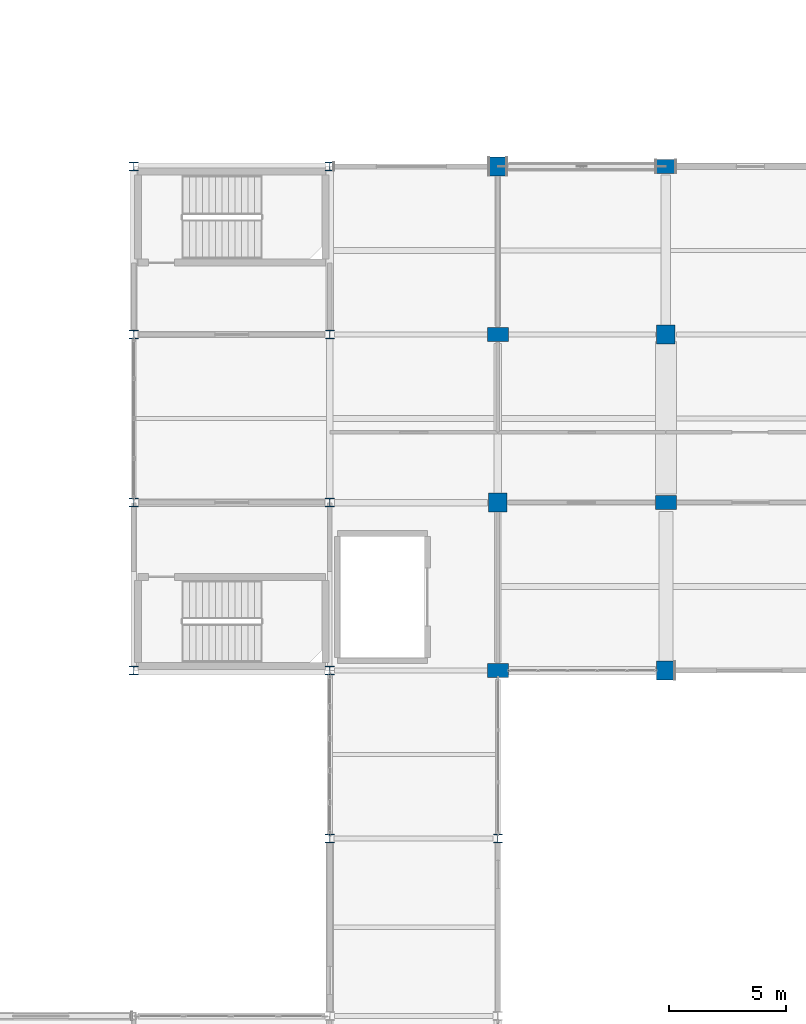
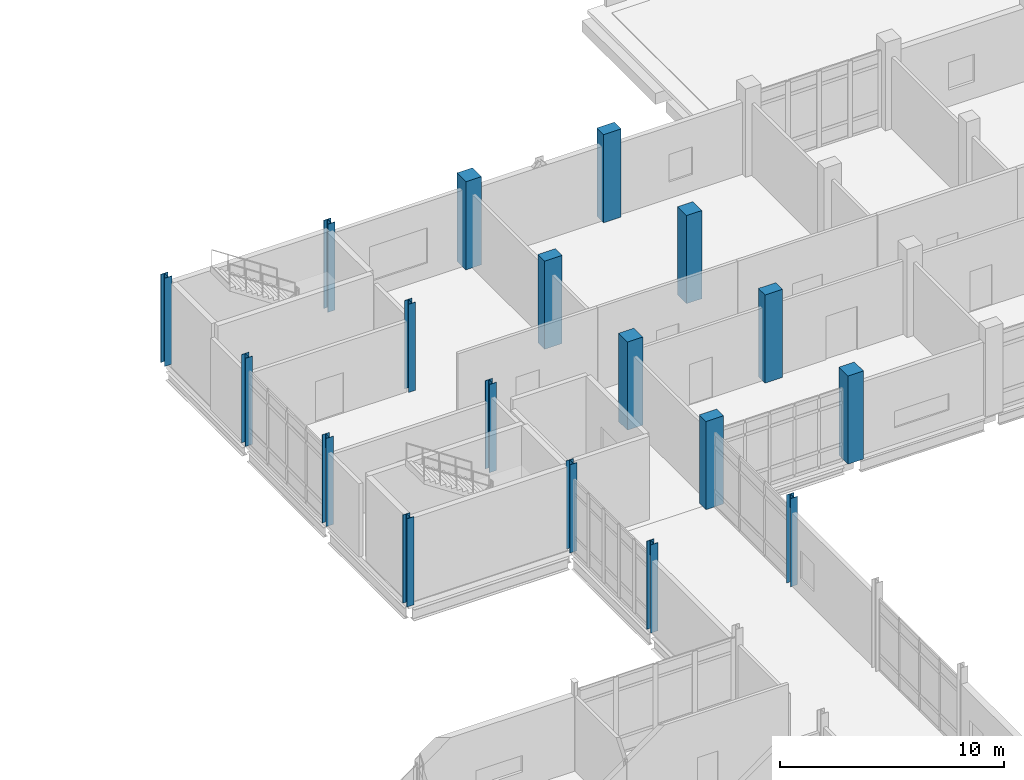
# One storey, part 14 of 186: 18 columns.
"""IFC4 building model written with IfcOpenShell, lengths in metres."""

from ifc_helpers import new_model, si_unit, direction, frame, origin, origin_2d, place, context, subcontext, project, spatial, rectangle, i_section, extrude, material, material_profile, profile_set, type_object, element, save


model = new_model("IFC4")

# Units and contexts
model_context = context("Model", 3, precision=1e-05, world=origin(), true_north=direction((0.0, 1.0)))
body_context = subcontext(model_context, "Body", "Model", "MODEL_VIEW")
ifc_project = project(units=[si_unit("LENGTHUNIT", "METRE"), si_unit("AREAUNIT", "SQUARE_METRE"), si_unit("VOLUMEUNIT", "CUBIC_METRE"), si_unit("PLANEANGLEUNIT", "RADIAN"), si_unit("MASSUNIT", "GRAM", prefix="KILO")], contexts=[model_context])

# Site, building, storey
site_placement = place(None, origin())
site = spatial("IfcSite", under=ifc_project, at=site_placement, CompositionType="ELEMENT")
building_placement = place(site_placement, origin())
building = spatial("IfcBuilding", under=site, at=building_placement, Name="Calvrana Isthmian Art Gallery", CompositionType="ELEMENT")
storey_placement = place(building_placement, frame((0.0, 0.0, 5.39990234375)))
storey = spatial("IfcBuildingStorey", under=building, at=storey_placement, Name="L01", CompositionType="ELEMENT", Elevation=5.39990234375)

# Columns
ifc_material_1 = material(Name="Concrete C40/50", Category="concrete")
ifc_material_profile_1 = material_profile(ifc_material_1, rectangle(XDim=0.800048828125, YDim=0.800048828125, at=origin_2d()), Name="RC800X800")
ifc_profile_set_1 = profile_set([ifc_material_profile_1], Name="Concrete C40/50")
column_type_1 = type_object("IfcColumnType", Name="COL-RC-RC800X800", PredefinedType="COLUMN", material=ifc_profile_set_1)
for number, where, z_axis, x_axis, name in (
    (1, (120.0, 84.0, 0.0), (0.0, 0.0, 1.0), (1.0, 0.0, 0.0), "Column 16/L L01"),
    (2, (120.0, 98.39990234375, 0.0), (0.0, 0.0, 1.0), (1.0, 0.0, 0.0), "Column 16/N L01"),
    (3, (127.199951171875, 76.800048828125, 0.0), (0.0, 0.0, 1.0), (1.0, 0.0, 0.0), "Column 17/K L01"),
    (4, (127.199951171875, 91.199951171875, 0.0), (0.0, 0.0, 1.0), (1.0, 0.0, 0.0), "Column 17/M L01"),
):
    element("IfcColumn", number, at=place(storey_placement, frame(where, z_axis=z_axis, x_axis=x_axis)), inside=storey, type_object=column_type_1, Name=name, PredefinedType="COLUMN", context=body_context, shape_type="SweptSolid", body=[
        extrude(rectangle(XDim=0.800048828125, YDim=0.800048828125, at=origin_2d()), origin(), (0.0, 0.0, 1.0), 4.800048828125),
    ])
ifc_material_profile_2 = material_profile(ifc_material_1, rectangle(XDim=0.89990234375, YDim=0.60009765625, at=origin_2d()), Name="RC900X600")
ifc_profile_set_2 = profile_set([ifc_material_profile_2], Name="Concrete C40/50")
column_type_2 = type_object("IfcColumnType", Name="COL-RC-RC900X600", PredefinedType="COLUMN", material=ifc_profile_set_2)
for number, where, z_axis, x_axis, name in (
    (5, (120.0, 76.800048828125, 0.0), (0.0, 0.0, 1.0), (1.0, 0.0, 0.0), "Column 16/K L01"),
    (6, (120.0, 91.199951171875, 0.0), (0.0, 0.0, 1.0), (1.0, 0.0, 0.0), "Column 16/M L01"),
    (7, (127.199951171875, 84.0, 0.0), (0.0, 0.0, 1.0), (1.0, 0.0, 0.0), "Column 17/L L01"),
    (8, (127.199951171875, 98.39990234375, 0.0), (0.0, 0.0, 1.0), (1.0, 0.0, 0.0), "Column 17/N L01"),
):
    element("IfcColumn", number, at=place(storey_placement, frame(where, z_axis=z_axis, x_axis=x_axis)), inside=storey, type_object=column_type_2, Name=name, PredefinedType="COLUMN", context=body_context, shape_type="SweptSolid", body=[
        extrude(rectangle(XDim=0.89990234375, YDim=0.60009765625, at=origin_2d()), origin(), (0.0, 0.0, 1.0), 4.800048828125),
    ])
ifc_material_2 = material(Name="Steel ASTM A992 Gr 50", Category="steel")
ifc_material_profile_3 = material_profile(ifc_material_2, i_section(OverallWidth=0.37109375, OverallDepth=0.363037109375, WebThickness=0.01318359375, FlangeThickness=0.021728515625, FilletRadius=0.02490234375, at=origin_2d()), Name="W14X109")
ifc_profile_set_3 = profile_set([ifc_material_profile_3], Name="Steel ASTM A992 Gr 50")
column_type_3 = type_object("IfcColumnType", Name="COL-STL-W14X109", PredefinedType="COLUMN", material=ifc_profile_set_3)
for number, where, z_axis, x_axis, name in (
    (9, (104.39990234375, 91.199951171875, 0.0), (0.0, 0.0, 1.0), (1.0, 0.0, 0.0), "Column 14/M L01"),
    (10, (112.800048828125, 69.60009765625, 0.0), (0.0, 0.0, 1.0), (1.0, 0.0, 0.0), "Column 15/J L01"),
    (11, (112.800048828125, 98.39990234375, 0.0), (0.0, 0.0, 1.0), (1.0, 0.0, 0.0), "Column 15/N L01"),
):
    element("IfcColumn", number, at=place(storey_placement, frame(where, z_axis=z_axis, x_axis=x_axis)), inside=storey, type_object=column_type_3, Name=name, PredefinedType="COLUMN", context=body_context, shape_type="SweptSolid", body=[
        extrude(i_section(OverallWidth=0.37109375, OverallDepth=0.363037109375, WebThickness=0.01318359375, FlangeThickness=0.021728515625, FilletRadius=0.02490234375, at=origin_2d()), origin(), (0.0, 0.0, 1.0), 4.800048828125),
    ])
ifc_material_profile_4 = material_profile(ifc_material_2, i_section(OverallWidth=0.373046875, OverallDepth=0.367919921875, WebThickness=0.014892578125, FlangeThickness=0.02392578125, FilletRadius=0.02490234375, at=origin_2d()), Name="W14X120")
ifc_profile_set_4 = profile_set([ifc_material_profile_4], Name="Steel ASTM A992 Gr 50")
column_type_4 = type_object("IfcColumnType", Name="COL-STL-W14X120", PredefinedType="COLUMN", material=ifc_profile_set_4)
for number, where, z_axis, x_axis, name in (
    (12, (104.39990234375, 98.39990234375, 0.0), (0.0, 0.0, 1.0), (1.0, 0.0, 0.0), "Column 14/N L01"),
    (13, (112.800048828125, 76.800048828125, 0.0), (0.0, 0.0, 1.0), (1.0, 0.0, 0.0), "Column 15/K L01"),
):
    element("IfcColumn", number, at=place(storey_placement, frame(where, z_axis=z_axis, x_axis=x_axis)), inside=storey, type_object=column_type_4, Name=name, PredefinedType="COLUMN", context=body_context, shape_type="SweptSolid", body=[
        extrude(i_section(OverallWidth=0.373046875, OverallDepth=0.367919921875, WebThickness=0.014892578125, FlangeThickness=0.02392578125, FilletRadius=0.02490234375, at=origin_2d()), origin(), (0.0, 0.0, 1.0), 4.800048828125),
    ])
ifc_material_profile_5 = material_profile(ifc_material_2, i_section(OverallWidth=0.373046875, OverallDepth=0.373046875, WebThickness=0.016357421875, FlangeThickness=0.026123046875, FilletRadius=0.02490234375, at=origin_2d()), Name="W14X132")
ifc_profile_set_5 = profile_set([ifc_material_profile_5], Name="Steel ASTM A992 Gr 50")
column_type_5 = type_object("IfcColumnType", Name="COL-STL-W14X132", PredefinedType="COLUMN", material=ifc_profile_set_5)
for number, where, z_axis, x_axis, name in (
    (14, (104.39990234375, 76.800048828125, 0.0), (0.0, 0.0, 1.0), (1.0, 0.0, 0.0), "Column 14/K L01"),
    (15, (112.800048828125, 84.0, 0.0), (0.0, 0.0, 1.0), (1.0, 0.0, 0.0), "Column 15/L L01"),
):
    element("IfcColumn", number, at=place(storey_placement, frame(where, z_axis=z_axis, x_axis=x_axis)), inside=storey, type_object=column_type_5, Name=name, PredefinedType="COLUMN", context=body_context, shape_type="SweptSolid", body=[
        extrude(i_section(OverallWidth=0.373046875, OverallDepth=0.373046875, WebThickness=0.016357421875, FlangeThickness=0.026123046875, FilletRadius=0.02490234375, at=origin_2d()), origin(), (0.0, 0.0, 1.0), 4.800048828125),
    ])
ifc_material_profile_6 = material_profile(ifc_material_2, i_section(OverallWidth=0.367919921875, OverallDepth=0.35595703125, WebThickness=0.01123046875, FlangeThickness=0.01806640625, FilletRadius=0.02490234375, at=origin_2d()), Name="W14X90")
ifc_profile_set_6 = profile_set([ifc_material_profile_6], Name="Steel ASTM A992 Gr 50")
column_type_6 = type_object("IfcColumnType", Name="COL-STL-W14X90", PredefinedType="COLUMN", material=ifc_profile_set_6)
for number, where, z_axis, x_axis, name in (
    (16, (104.39990234375, 84.0, 0.0), (0.0, 0.0, 1.0), (1.0, 0.0, 0.0), "Column 14/L L01"),
    (17, (112.800048828125, 91.199951171875, 0.0), (0.0, 0.0, 1.0), (1.0, 0.0, 0.0), "Column 15/M L01"),
    (18, (120.0, 69.60009765625, 0.0), (0.0, 0.0, 1.0), (1.0, 0.0, 0.0), "Column 16/J L01"),
):
    element("IfcColumn", number, at=place(storey_placement, frame(where, z_axis=z_axis, x_axis=x_axis)), inside=storey, type_object=column_type_6, Name=name, PredefinedType="COLUMN", context=body_context, shape_type="SweptSolid", body=[
        extrude(i_section(OverallWidth=0.367919921875, OverallDepth=0.35595703125, WebThickness=0.01123046875, FlangeThickness=0.01806640625, FilletRadius=0.02490234375, at=origin_2d()), origin(), (0.0, 0.0, 1.0), 4.800048828125),
    ])

save(model, "model.ifc")
